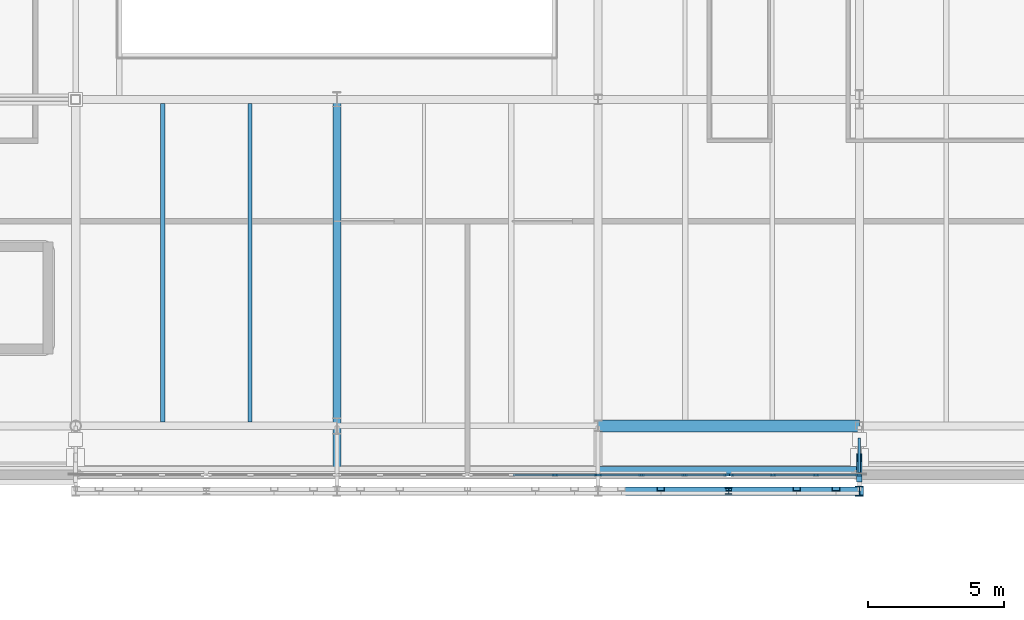
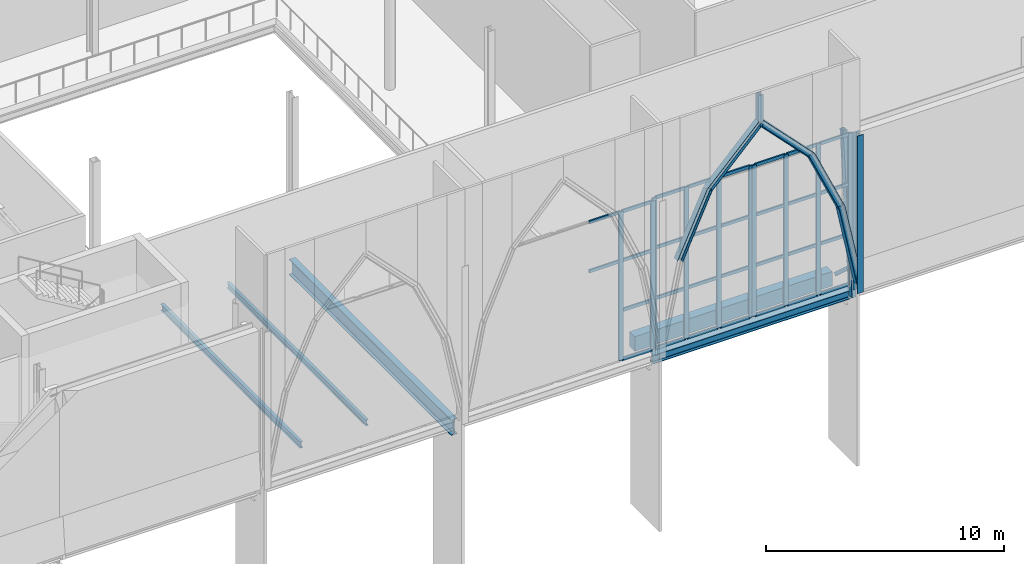
# One storey, part 26 of 79: 49 members, 5 beams, 3 elements without a shape of their own.
"""IFC4 building model written with IfcOpenShell, lengths in metres."""

from ifc_helpers import new_model, si_unit, direction, frame, origin, origin_2d, place, context, subcontext, project, spatial, rectangle, hollow_rectangle, i_section, extrude, material, layer, layer_set, material_profile, profile_set, type_object, element, aggregate, save


model = new_model("IFC4")

# Units and contexts
model_context = context("Model", 3, precision=1e-05, world=origin(), true_north=direction((0.0, 1.0)))
body_context = subcontext(model_context, "Body", "Model", "MODEL_VIEW")
ifc_project = project(units=[si_unit("LENGTHUNIT", "METRE"), si_unit("AREAUNIT", "SQUARE_METRE"), si_unit("VOLUMEUNIT", "CUBIC_METRE"), si_unit("PLANEANGLEUNIT", "RADIAN"), si_unit("MASSUNIT", "GRAM", prefix="KILO")], contexts=[model_context])

# Site, building, storey
site_placement = place(None, origin())
site = spatial("IfcSite", under=ifc_project, at=site_placement, CompositionType="ELEMENT")
building_placement = place(site_placement, origin())
building = spatial("IfcBuilding", under=site, at=building_placement, Name="Zereglee Splitstone Museum", CompositionType="ELEMENT")
storey_placement = place(building_placement, frame((0.0, 0.0, 9.0)))
storey = spatial("IfcBuildingStorey", under=building, at=storey_placement, Name="L02", CompositionType="ELEMENT", Elevation=9.0)

# Curtain wall, members
ifc_material_1 = material(Name="Triple-glazed low-E argon glass and bronze-anodised aluminium", Category="aluminium")
ifc_layer_1 = layer(ifc_material_1, 0.219970703125)
ifc_layer_set_1 = layer_set([ifc_layer_1], Name="Triple-glazed low-E argon glass and bronze-anodised aluminium")
curtain_wall_type_1 = type_object("IfcCurtainWallType", Name="CW-0476-766", PredefinedType="USERDEFINED", material=ifc_layer_set_1)
curtain_wall_1_placement = place(storey_placement, origin())
curtain_wall_1 = element("IfcCurtainWall", 1, at=curtain_wall_1_placement, inside=storey, type_object=curtain_wall_type_1, Name="Glazed Curtain Wall CW-0476-766 (L02)", ObjectType="GLAZED CURTAIN WALL", PredefinedType="USERDEFINED")
ifc_material_2 = material(Name="Thermally broken bronze-anodised aluminium", Category="aluminium")
ifc_material_profile_1 = material_profile(ifc_material_2, rectangle(XDim=0.074951171875, YDim=0.219970703125, at=origin_2d()), Name="CW MULL 75x220")
ifc_profile_set_1 = profile_set([ifc_material_profile_1], Name="Thermally broken bronze-anodised aluminium")
member_type_1 = type_object("IfcMemberType", Name="CWM-02", PredefinedType="MULLION", material=ifc_profile_set_1)
member_1_placement = place(storey_placement, frame((114.813232421875, 7.800048828125, 0.0), z_axis=(0.0, 0.0, 1.0), x_axis=(0.0, 1.0, 0.0)))
member_1 = element("IfcMember", 2, at=member_1_placement, type_object=member_type_1, Name="CW-0476-766 mullion 3", PredefinedType="MULLION", context=body_context, shape_type="SweptSolid", body=[
    extrude(rectangle(XDim=0.074951171875, YDim=0.219970703125, at=origin_2d()), origin(), (0.0, 0.0, 1.0), 7.659912109375),
])
member_2_placement = place(storey_placement, frame((116.362548828125, 7.800048828125, 0.0), z_axis=(0.0, 0.0, 1.0), x_axis=(0.0, 1.0, 0.0)))
member_2 = element("IfcMember", 3, at=member_2_placement, type_object=member_type_1, Name="CW-0476-766 mullion 4", PredefinedType="MULLION", context=body_context, shape_type="SweptSolid", body=[
    extrude(rectangle(XDim=0.074951171875, YDim=0.219970703125, at=origin_2d()), origin(), (0.0, 0.0, 1.0), 7.659912109375),
])

ifc_layer_2 = layer(ifc_material_1, 0.219970703125)
ifc_layer_set_2 = layer_set([ifc_layer_2], Name="Triple-glazed low-E argon glass and bronze-anodised aluminium")
curtain_wall_type_2 = type_object("IfcCurtainWallType", Name="CW-0476-780", PredefinedType="USERDEFINED", material=ifc_layer_set_2)
curtain_wall_2_placement = place(storey_placement, origin())
curtain_wall_2 = element("IfcCurtainWall", 4, at=curtain_wall_2_placement, inside=storey, type_object=curtain_wall_type_2, Name="Glazed Curtain Wall CW-0476-780 (L02)", ObjectType="GLAZED CURTAIN WALL", PredefinedType="USERDEFINED")
member_3_placement = place(storey_placement, frame((116.4375, 7.800048828125, 0.0), z_axis=(0.0, 0.0, 1.0), x_axis=(0.0, 1.0, 0.0)))
member_3 = element("IfcMember", 5, at=member_3_placement, type_object=member_type_1, Name="CW-0476-780 mullion 1", PredefinedType="MULLION", context=body_context, shape_type="SweptSolid", body=[
    extrude(rectangle(XDim=0.074951171875, YDim=0.219970703125, at=origin_2d()), origin(), (0.0, 0.0, 1.0), 7.800048828125),
])
member_4_placement = place(storey_placement, frame((117.986572265625, 7.800048828125, 0.0), z_axis=(0.0, 0.0, 1.0), x_axis=(0.0, 1.0, 0.0)))
member_4 = element("IfcMember", 6, at=member_4_placement, type_object=member_type_1, Name="CW-0476-780 mullion 2", PredefinedType="MULLION", context=body_context, shape_type="SweptSolid", body=[
    extrude(rectangle(XDim=0.074951171875, YDim=0.219970703125, at=origin_2d()), origin(), (0.0, 0.0, 1.0), 7.800048828125),
])
member_5_placement = place(storey_placement, frame((119.5732421875, 7.800048828125, 0.0), z_axis=(0.0, 0.0, 1.0), x_axis=(0.0, 1.0, 0.0)))
member_5 = element("IfcMember", 7, at=member_5_placement, type_object=member_type_1, Name="CW-0476-780 mullion 3", PredefinedType="MULLION", context=body_context, shape_type="SweptSolid", body=[
    extrude(rectangle(XDim=0.074951171875, YDim=0.219970703125, at=origin_2d()), origin(), (0.0, 0.0, 1.0), 7.800048828125),
])
member_6_placement = place(storey_placement, frame((121.12255859375, 7.800048828125, 0.0), z_axis=(0.0, 0.0, 1.0), x_axis=(0.0, 1.0, 0.0)))
member_6 = element("IfcMember", 8, at=member_6_placement, type_object=member_type_1, Name="CW-0476-780 mullion 4", PredefinedType="MULLION", context=body_context, shape_type="SweptSolid", body=[
    extrude(rectangle(XDim=0.074951171875, YDim=0.219970703125, at=origin_2d()), origin(), (0.0, 0.0, 1.0), 7.800048828125),
])

ifc_layer_3 = layer(ifc_material_1, 0.219970703125)
ifc_layer_set_3 = layer_set([ifc_layer_3], Name="Triple-glazed low-E argon glass and bronze-anodised aluminium")
curtain_wall_type_3 = type_object("IfcCurtainWallType", Name="CW-0476-778", PredefinedType="USERDEFINED", material=ifc_layer_set_3)
curtain_wall_3_placement = place(storey_placement, origin())
curtain_wall_3 = element("IfcCurtainWall", 9, at=curtain_wall_3_placement, inside=storey, type_object=curtain_wall_type_3, Name="Glazed Curtain Wall CW-0476-778 (L02)", ObjectType="GLAZED CURTAIN WALL", PredefinedType="USERDEFINED")
member_7_placement = place(storey_placement, frame((121.277587890625, 7.800048828125, 0.0), z_axis=(0.0, 0.0, 1.0), x_axis=(0.0, 1.0, 0.0)))
member_7 = element("IfcMember", 10, at=member_7_placement, type_object=member_type_1, Name="CW-0476-778 mullion 1", PredefinedType="MULLION", context=body_context, shape_type="SweptSolid", body=[
    extrude(rectangle(XDim=0.074951171875, YDim=0.219970703125, at=origin_2d()), origin(), (0.0, 0.0, 1.0), 7.780029296875),
])
member_8_placement = place(storey_placement, frame((122.82666015625, 7.800048828125, 0.0), z_axis=(0.0, 0.0, 1.0), x_axis=(0.0, 1.0, 0.0)))
member_8 = element("IfcMember", 11, at=member_8_placement, type_object=member_type_1, Name="CW-0476-778 mullion 2", PredefinedType="MULLION", context=body_context, shape_type="SweptSolid", body=[
    extrude(rectangle(XDim=0.074951171875, YDim=0.219970703125, at=origin_2d()), origin(), (0.0, 0.0, 1.0), 7.780029296875),
])
member_9_placement = place(storey_placement, frame((124.413330078125, 7.800048828125, 0.0), z_axis=(0.0, 0.0, 1.0), x_axis=(0.0, 1.0, 0.0)))
member_9 = element("IfcMember", 12, at=member_9_placement, type_object=member_type_1, Name="CW-0476-778 mullion 3", PredefinedType="MULLION", context=body_context, shape_type="SweptSolid", body=[
    extrude(rectangle(XDim=0.074951171875, YDim=0.219970703125, at=origin_2d()), origin(), (0.0, 0.0, 1.0), 7.780029296875),
])
member_10_placement = place(storey_placement, frame((125.96240234375, 7.800048828125, 0.0), z_axis=(0.0, 0.0, 1.0), x_axis=(0.0, 1.0, 0.0)))
member_10 = element("IfcMember", 13, at=member_10_placement, type_object=member_type_1, Name="CW-0476-778 mullion 4", PredefinedType="MULLION", context=body_context, shape_type="SweptSolid", body=[
    extrude(rectangle(XDim=0.074951171875, YDim=0.219970703125, at=origin_2d()), origin(), (0.0, 0.0, 1.0), 7.780029296875),
])

# Member
ifc_material_profile_2 = material_profile(ifc_material_2, rectangle(XDim=0.074951171875, YDim=0.1650390625, at=origin_2d()), Name="CW TRAN 75x165")
ifc_profile_set_2 = profile_set([ifc_material_profile_2], Name="Thermally broken bronze-anodised aluminium")
member_type_2 = type_object("IfcMemberType", Name="CWT-02", PredefinedType="USERDEFINED", material=ifc_profile_set_2)
member_11_placement = place(storey_placement, frame((113.26416015625, 7.800048828125, 5.106689453125), z_axis=(1.0, 0.0, 0.0), x_axis=(0.0, 1.0, 0.0)))
member_11 = element("IfcMember", 14, at=member_11_placement, type_object=member_type_2, Name="CW-0476-766 transom 2.3", ObjectType="TRANSOM", PredefinedType="USERDEFINED", context=body_context, shape_type="SweptSolid", body=[
    extrude(rectangle(XDim=0.074951171875, YDim=0.1650390625, at=origin_2d()), origin(), (0.0, 0.0, 1.0), 1.51171875),
])

member_12_placement = place(storey_placement, frame((113.26416015625, 7.800048828125, 7.62255859375), z_axis=(1.0, 0.0, 0.0), x_axis=(0.0, 1.0, 0.0)))
member_12 = element("IfcMember", 15, at=member_12_placement, type_object=member_type_2, Name="CW-0476-766 transom 2.4", ObjectType="TRANSOM", PredefinedType="USERDEFINED", context=body_context, shape_type="SweptSolid", body=[
    extrude(rectangle(XDim=0.074951171875, YDim=0.1650390625, at=origin_2d()), origin(), (0.0, 0.0, 1.0), 1.51171875),
])

member_13_placement = place(storey_placement, frame((114.850830078125, 7.800048828125, 0.03759765625), z_axis=(1.0, 0.0, 0.0), x_axis=(0.0, 1.0, 0.0)))
member_13 = element("IfcMember", 16, at=member_13_placement, type_object=member_type_2, Name="CW-0476-766 transom 3.1", ObjectType="TRANSOM", PredefinedType="USERDEFINED", context=body_context, shape_type="SweptSolid", body=[
    extrude(rectangle(XDim=0.074951171875, YDim=0.1650390625, at=origin_2d()), origin(), (0.0, 0.0, 1.0), 1.47412109375),
])

member_14_placement = place(storey_placement, frame((114.850830078125, 7.800048828125, 2.55322265625), z_axis=(1.0, 0.0, 0.0), x_axis=(0.0, 1.0, 0.0)))
member_14 = element("IfcMember", 17, at=member_14_placement, type_object=member_type_2, Name="CW-0476-766 transom 3.2", ObjectType="TRANSOM", PredefinedType="USERDEFINED", context=body_context, shape_type="SweptSolid", body=[
    extrude(rectangle(XDim=0.074951171875, YDim=0.1650390625, at=origin_2d()), origin(), (0.0, 0.0, 1.0), 1.47412109375),
])

member_15_placement = place(storey_placement, frame((114.850830078125, 7.800048828125, 5.106689453125), z_axis=(1.0, 0.0, 0.0), x_axis=(0.0, 1.0, 0.0)))
member_15 = element("IfcMember", 18, at=member_15_placement, type_object=member_type_2, Name="CW-0476-766 transom 3.3", ObjectType="TRANSOM", PredefinedType="USERDEFINED", context=body_context, shape_type="SweptSolid", body=[
    extrude(rectangle(XDim=0.074951171875, YDim=0.1650390625, at=origin_2d()), origin(), (0.0, 0.0, 1.0), 1.47412109375),
])

member_16_placement = place(storey_placement, frame((114.850830078125, 7.800048828125, 7.62255859375), z_axis=(1.0, 0.0, 0.0), x_axis=(0.0, 1.0, 0.0)))
member_16 = element("IfcMember", 19, at=member_16_placement, type_object=member_type_2, Name="CW-0476-766 transom 3.4", ObjectType="TRANSOM", PredefinedType="USERDEFINED", context=body_context, shape_type="SweptSolid", body=[
    extrude(rectangle(XDim=0.074951171875, YDim=0.1650390625, at=origin_2d()), origin(), (0.0, 0.0, 1.0), 1.47412109375),
])

aggregate(curtain_wall_1, [member_1, member_2, member_11, member_12, member_13, member_14, member_15, member_16])

member_17_placement = place(storey_placement, frame((116.47509765625, 7.800048828125, 0.03759765625), z_axis=(1.0, 0.0, 0.0), x_axis=(0.0, 1.0, 0.0)))
member_17 = element("IfcMember", 20, at=member_17_placement, type_object=member_type_2, Name="CW-0476-780 transom 1.1", ObjectType="TRANSOM", PredefinedType="USERDEFINED", context=body_context, shape_type="SweptSolid", body=[
    extrude(rectangle(XDim=0.074951171875, YDim=0.1650390625, at=origin_2d()), origin(), (0.0, 0.0, 1.0), 1.47412109375),
])

member_18_placement = place(storey_placement, frame((116.47509765625, 7.800048828125, 2.60009765625), z_axis=(1.0, 0.0, 0.0), x_axis=(0.0, 1.0, 0.0)))
member_18 = element("IfcMember", 21, at=member_18_placement, type_object=member_type_2, Name="CW-0476-780 transom 1.2", ObjectType="TRANSOM", PredefinedType="USERDEFINED", context=body_context, shape_type="SweptSolid", body=[
    extrude(rectangle(XDim=0.074951171875, YDim=0.1650390625, at=origin_2d()), origin(), (0.0, 0.0, 1.0), 1.47412109375),
])

member_19_placement = place(storey_placement, frame((116.47509765625, 7.800048828125, 5.199951171875), z_axis=(1.0, 0.0, 0.0), x_axis=(0.0, 1.0, 0.0)))
member_19 = element("IfcMember", 22, at=member_19_placement, type_object=member_type_2, Name="CW-0476-780 transom 1.3", ObjectType="TRANSOM", PredefinedType="USERDEFINED", context=body_context, shape_type="SweptSolid", body=[
    extrude(rectangle(XDim=0.074951171875, YDim=0.1650390625, at=origin_2d()), origin(), (0.0, 0.0, 1.0), 1.47412109375),
])

member_20_placement = place(storey_placement, frame((116.47509765625, 7.800048828125, 7.762451171875), z_axis=(1.0, 0.0, 0.0), x_axis=(0.0, 1.0, 0.0)))
member_20 = element("IfcMember", 23, at=member_20_placement, type_object=member_type_2, Name="CW-0476-780 transom 1.4", ObjectType="TRANSOM", PredefinedType="USERDEFINED", context=body_context, shape_type="SweptSolid", body=[
    extrude(rectangle(XDim=0.074951171875, YDim=0.1650390625, at=origin_2d()), origin(), (0.0, 0.0, 1.0), 1.47412109375),
])

member_21_placement = place(storey_placement, frame((118.024169921875, 7.800048828125, 0.03759765625), z_axis=(1.0, 0.0, 0.0), x_axis=(0.0, 1.0, 0.0)))
member_21 = element("IfcMember", 24, at=member_21_placement, type_object=member_type_2, Name="CW-0476-780 transom 2.1", ObjectType="TRANSOM", PredefinedType="USERDEFINED", context=body_context, shape_type="SweptSolid", body=[
    extrude(rectangle(XDim=0.074951171875, YDim=0.1650390625, at=origin_2d()), origin(), (0.0, 0.0, 1.0), 1.51171875),
])

member_22_placement = place(storey_placement, frame((118.024169921875, 7.800048828125, 2.60009765625), z_axis=(1.0, 0.0, 0.0), x_axis=(0.0, 1.0, 0.0)))
member_22 = element("IfcMember", 25, at=member_22_placement, type_object=member_type_2, Name="CW-0476-780 transom 2.2", ObjectType="TRANSOM", PredefinedType="USERDEFINED", context=body_context, shape_type="SweptSolid", body=[
    extrude(rectangle(XDim=0.074951171875, YDim=0.1650390625, at=origin_2d()), origin(), (0.0, 0.0, 1.0), 1.51171875),
])

member_23_placement = place(storey_placement, frame((118.024169921875, 7.800048828125, 5.199951171875), z_axis=(1.0, 0.0, 0.0), x_axis=(0.0, 1.0, 0.0)))
member_23 = element("IfcMember", 26, at=member_23_placement, type_object=member_type_2, Name="CW-0476-780 transom 2.3", ObjectType="TRANSOM", PredefinedType="USERDEFINED", context=body_context, shape_type="SweptSolid", body=[
    extrude(rectangle(XDim=0.074951171875, YDim=0.1650390625, at=origin_2d()), origin(), (0.0, 0.0, 1.0), 1.51171875),
])

member_24_placement = place(storey_placement, frame((118.024169921875, 7.800048828125, 7.762451171875), z_axis=(1.0, 0.0, 0.0), x_axis=(0.0, 1.0, 0.0)))
member_24 = element("IfcMember", 27, at=member_24_placement, type_object=member_type_2, Name="CW-0476-780 transom 2.4", ObjectType="TRANSOM", PredefinedType="USERDEFINED", context=body_context, shape_type="SweptSolid", body=[
    extrude(rectangle(XDim=0.074951171875, YDim=0.1650390625, at=origin_2d()), origin(), (0.0, 0.0, 1.0), 1.51171875),
])

member_25_placement = place(storey_placement, frame((119.61083984375, 7.800048828125, 0.03759765625), z_axis=(1.0, 0.0, 0.0), x_axis=(0.0, 1.0, 0.0)))
member_25 = element("IfcMember", 28, at=member_25_placement, type_object=member_type_2, Name="CW-0476-780 transom 3.1", ObjectType="TRANSOM", PredefinedType="USERDEFINED", context=body_context, shape_type="SweptSolid", body=[
    extrude(rectangle(XDim=0.074951171875, YDim=0.1650390625, at=origin_2d()), origin(), (0.0, 0.0, 1.0), 1.47412109375),
])

member_26_placement = place(storey_placement, frame((119.61083984375, 7.800048828125, 2.60009765625), z_axis=(1.0, 0.0, 0.0), x_axis=(0.0, 1.0, 0.0)))
member_26 = element("IfcMember", 29, at=member_26_placement, type_object=member_type_2, Name="CW-0476-780 transom 3.2", ObjectType="TRANSOM", PredefinedType="USERDEFINED", context=body_context, shape_type="SweptSolid", body=[
    extrude(rectangle(XDim=0.074951171875, YDim=0.1650390625, at=origin_2d()), origin(), (0.0, 0.0, 1.0), 1.47412109375),
])

member_27_placement = place(storey_placement, frame((119.61083984375, 7.800048828125, 5.199951171875), z_axis=(1.0, 0.0, 0.0), x_axis=(0.0, 1.0, 0.0)))
member_27 = element("IfcMember", 30, at=member_27_placement, type_object=member_type_2, Name="CW-0476-780 transom 3.3", ObjectType="TRANSOM", PredefinedType="USERDEFINED", context=body_context, shape_type="SweptSolid", body=[
    extrude(rectangle(XDim=0.074951171875, YDim=0.1650390625, at=origin_2d()), origin(), (0.0, 0.0, 1.0), 1.47412109375),
])

member_28_placement = place(storey_placement, frame((119.61083984375, 7.800048828125, 7.762451171875), z_axis=(1.0, 0.0, 0.0), x_axis=(0.0, 1.0, 0.0)))
member_28 = element("IfcMember", 31, at=member_28_placement, type_object=member_type_2, Name="CW-0476-780 transom 3.4", ObjectType="TRANSOM", PredefinedType="USERDEFINED", context=body_context, shape_type="SweptSolid", body=[
    extrude(rectangle(XDim=0.074951171875, YDim=0.1650390625, at=origin_2d()), origin(), (0.0, 0.0, 1.0), 1.47412109375),
])

aggregate(curtain_wall_2, [member_3, member_4, member_5, member_6, member_17, member_18, member_19, member_20, member_21, member_22, member_23, member_24, member_25, member_26, member_27, member_28])

member_29_placement = place(storey_placement, frame((121.31494140625, 7.800048828125, 0.03759765625), z_axis=(1.0, 0.0, 0.0), x_axis=(0.0, 1.0, 0.0)))
member_29 = element("IfcMember", 32, at=member_29_placement, type_object=member_type_2, Name="CW-0476-778 transom 1.1", ObjectType="TRANSOM", PredefinedType="USERDEFINED", context=body_context, shape_type="SweptSolid", body=[
    extrude(rectangle(XDim=0.074951171875, YDim=0.1650390625, at=origin_2d()), origin(), (0.0, 0.0, 1.0), 1.47412109375),
])

member_30_placement = place(storey_placement, frame((121.31494140625, 7.800048828125, 2.59326171875), z_axis=(1.0, 0.0, 0.0), x_axis=(0.0, 1.0, 0.0)))
member_30 = element("IfcMember", 33, at=member_30_placement, type_object=member_type_2, Name="CW-0476-778 transom 1.2", ObjectType="TRANSOM", PredefinedType="USERDEFINED", context=body_context, shape_type="SweptSolid", body=[
    extrude(rectangle(XDim=0.074951171875, YDim=0.1650390625, at=origin_2d()), origin(), (0.0, 0.0, 1.0), 1.47412109375),
])

member_31_placement = place(storey_placement, frame((121.31494140625, 7.800048828125, 5.186767578125), z_axis=(1.0, 0.0, 0.0), x_axis=(0.0, 1.0, 0.0)))
member_31 = element("IfcMember", 34, at=member_31_placement, type_object=member_type_2, Name="CW-0476-778 transom 1.3", ObjectType="TRANSOM", PredefinedType="USERDEFINED", context=body_context, shape_type="SweptSolid", body=[
    extrude(rectangle(XDim=0.074951171875, YDim=0.1650390625, at=origin_2d()), origin(), (0.0, 0.0, 1.0), 1.47412109375),
])

member_32_placement = place(storey_placement, frame((121.31494140625, 7.800048828125, 7.742431640625), z_axis=(1.0, 0.0, 0.0), x_axis=(0.0, 1.0, 0.0)))
member_32 = element("IfcMember", 35, at=member_32_placement, type_object=member_type_2, Name="CW-0476-778 transom 1.4", ObjectType="TRANSOM", PredefinedType="USERDEFINED", context=body_context, shape_type="SweptSolid", body=[
    extrude(rectangle(XDim=0.074951171875, YDim=0.1650390625, at=origin_2d()), origin(), (0.0, 0.0, 1.0), 1.47412109375),
])

member_33_placement = place(storey_placement, frame((122.8642578125, 7.800048828125, 0.03759765625), z_axis=(1.0, 0.0, 0.0), x_axis=(0.0, 1.0, 0.0)))
member_33 = element("IfcMember", 36, at=member_33_placement, type_object=member_type_2, Name="CW-0476-778 transom 2.1", ObjectType="TRANSOM", PredefinedType="USERDEFINED", context=body_context, shape_type="SweptSolid", body=[
    extrude(rectangle(XDim=0.074951171875, YDim=0.1650390625, at=origin_2d()), origin(), (0.0, 0.0, 1.0), 1.511474609375),
])

member_34_placement = place(storey_placement, frame((122.8642578125, 7.800048828125, 2.59326171875), z_axis=(1.0, 0.0, 0.0), x_axis=(0.0, 1.0, 0.0)))
member_34 = element("IfcMember", 37, at=member_34_placement, type_object=member_type_2, Name="CW-0476-778 transom 2.2", ObjectType="TRANSOM", PredefinedType="USERDEFINED", context=body_context, shape_type="SweptSolid", body=[
    extrude(rectangle(XDim=0.074951171875, YDim=0.1650390625, at=origin_2d()), origin(), (0.0, 0.0, 1.0), 1.511474609375),
])

member_35_placement = place(storey_placement, frame((122.8642578125, 7.800048828125, 5.186767578125), z_axis=(1.0, 0.0, 0.0), x_axis=(0.0, 1.0, 0.0)))
member_35 = element("IfcMember", 38, at=member_35_placement, type_object=member_type_2, Name="CW-0476-778 transom 2.3", ObjectType="TRANSOM", PredefinedType="USERDEFINED", context=body_context, shape_type="SweptSolid", body=[
    extrude(rectangle(XDim=0.074951171875, YDim=0.1650390625, at=origin_2d()), origin(), (0.0, 0.0, 1.0), 1.511474609375),
])

member_36_placement = place(storey_placement, frame((122.8642578125, 7.800048828125, 7.742431640625), z_axis=(1.0, 0.0, 0.0), x_axis=(0.0, 1.0, 0.0)))
member_36 = element("IfcMember", 39, at=member_36_placement, type_object=member_type_2, Name="CW-0476-778 transom 2.4", ObjectType="TRANSOM", PredefinedType="USERDEFINED", context=body_context, shape_type="SweptSolid", body=[
    extrude(rectangle(XDim=0.074951171875, YDim=0.1650390625, at=origin_2d()), origin(), (0.0, 0.0, 1.0), 1.511474609375),
])

member_37_placement = place(storey_placement, frame((124.450927734375, 7.800048828125, 0.03759765625), z_axis=(1.0, 0.0, 0.0), x_axis=(0.0, 1.0, 0.0)))
member_37 = element("IfcMember", 40, at=member_37_placement, type_object=member_type_2, Name="CW-0476-778 transom 3.1", ObjectType="TRANSOM", PredefinedType="USERDEFINED", context=body_context, shape_type="SweptSolid", body=[
    extrude(rectangle(XDim=0.074951171875, YDim=0.1650390625, at=origin_2d()), origin(), (0.0, 0.0, 1.0), 1.47412109375),
])

member_38_placement = place(storey_placement, frame((124.450927734375, 7.800048828125, 2.59326171875), z_axis=(1.0, 0.0, 0.0), x_axis=(0.0, 1.0, 0.0)))
member_38 = element("IfcMember", 41, at=member_38_placement, type_object=member_type_2, Name="CW-0476-778 transom 3.2", ObjectType="TRANSOM", PredefinedType="USERDEFINED", context=body_context, shape_type="SweptSolid", body=[
    extrude(rectangle(XDim=0.074951171875, YDim=0.1650390625, at=origin_2d()), origin(), (0.0, 0.0, 1.0), 1.47412109375),
])

member_39_placement = place(storey_placement, frame((124.450927734375, 7.800048828125, 5.186767578125), z_axis=(1.0, 0.0, 0.0), x_axis=(0.0, 1.0, 0.0)))
member_39 = element("IfcMember", 42, at=member_39_placement, type_object=member_type_2, Name="CW-0476-778 transom 3.3", ObjectType="TRANSOM", PredefinedType="USERDEFINED", context=body_context, shape_type="SweptSolid", body=[
    extrude(rectangle(XDim=0.074951171875, YDim=0.1650390625, at=origin_2d()), origin(), (0.0, 0.0, 1.0), 1.47412109375),
])

member_40_placement = place(storey_placement, frame((124.450927734375, 7.800048828125, 7.742431640625), z_axis=(1.0, 0.0, 0.0), x_axis=(0.0, 1.0, 0.0)))
member_40 = element("IfcMember", 43, at=member_40_placement, type_object=member_type_2, Name="CW-0476-778 transom 3.4", ObjectType="TRANSOM", PredefinedType="USERDEFINED", context=body_context, shape_type="SweptSolid", body=[
    extrude(rectangle(XDim=0.074951171875, YDim=0.1650390625, at=origin_2d()), origin(), (0.0, 0.0, 1.0), 1.47412109375),
])

aggregate(curtain_wall_3, [member_7, member_8, member_9, member_10, member_29, member_30, member_31, member_32, member_33, member_34, member_35, member_36, member_37, member_38, member_39, member_40])

# Members
ifc_material_3 = material(Name="Steel S355J2", Category="steel")
ifc_material_profile_3 = material_profile(ifc_material_3, i_section(OverallWidth=0.300048828125, OverallDepth=0.300048828125, WebThickness=0.010986328125, FlangeThickness=0.01904296875, FilletRadius=0.027099609375, at=origin_2d()), Name="HE 300 B")
ifc_profile_set_3 = profile_set([ifc_material_profile_3], Name="Steel S355J2")
member_type_3 = type_object("IfcMemberType", Name="TC-08", PredefinedType="CHORD", material=ifc_profile_set_3)
member_41_placement = place(storey_placement, frame((117.263916015625, 7.199951171875, 4.657958984375), z_axis=(0.413850515302, 0.0, 0.910344852781), x_axis=(0.0, 1.0, 0.0)))
element("IfcMember", 44, at=member_41_placement, inside=storey, type_object=member_type_3, Name="Mughal Four-Centred Pointed Arch Rib PSQ-ATRS-3-2", PredefinedType="CHORD", context=body_context, shape_type="SweptSolid", body=[
    extrude(i_section(OverallWidth=0.300048828125, OverallDepth=0.300048828125, WebThickness=0.010986328125, FlangeThickness=0.01904296875, FilletRadius=0.027099609375, at=origin_2d()), origin(), (0.0, 0.0, 1.0), 3.47998046875),
])
for number, where, z_axis, x_axis, name in (
    (45, (118.7041015625, 7.199951171875, 7.825927734375), (0.696127756872, 0.0, 0.717917924357), (0.0, 1.0, 0.0), "Mughal Four-Centred Pointed Arch Rib PSQ-ATRS-3-3"),
    (46, (121.199951171875, 7.199951171875, 10.39990234375), (0.696162850583, 0.0, -0.717883894141), (0.0, 1.0, 0.0), "Mughal Four-Centred Pointed Arch Rib PSQ-ATRS-3-4"),
):
    element("IfcMember", number, at=place(storey_placement, frame(where, z_axis=z_axis, x_axis=x_axis)), inside=storey, type_object=member_type_3, Name=name, PredefinedType="CHORD", context=body_context, shape_type="SweptSolid", body=[
        extrude(i_section(OverallWidth=0.300048828125, OverallDepth=0.300048828125, WebThickness=0.010986328125, FlangeThickness=0.01904296875, FilletRadius=0.027099609375, at=origin_2d()), origin(), (0.0, 0.0, 1.0), 3.58544921875),
    ])
member_42_placement = place(storey_placement, frame((123.696044921875, 7.199951171875, 7.825927734375), z_axis=(0.413792372507, 0.0, -0.910371282749), x_axis=(0.0, 1.0, 0.0)))
element("IfcMember", 47, at=member_42_placement, inside=storey, type_object=member_type_3, Name="Mughal Four-Centred Pointed Arch Rib PSQ-ATRS-3-5", PredefinedType="CHORD", context=body_context, shape_type="SweptSolid", body=[
    extrude(i_section(OverallWidth=0.300048828125, OverallDepth=0.300048828125, WebThickness=0.010986328125, FlangeThickness=0.01904296875, FilletRadius=0.027099609375, at=origin_2d()), origin(), (0.0, 0.0, 1.0), 3.47998046875),
])
member_43_placement = place(storey_placement, frame((125.135986328125, 7.199951171875, 4.657958984375), z_axis=(0.203451466719, 0.0, -0.97908503241), x_axis=(0.0, 1.0, 0.0)))
element("IfcMember", 48, at=member_43_placement, inside=storey, type_object=member_type_3, Name="Mughal Four-Centred Pointed Arch Rib PSQ-ATRS-3-6", PredefinedType="CHORD", context=body_context, shape_type="SweptSolid", body=[
    extrude(i_section(OverallWidth=0.300048828125, OverallDepth=0.300048828125, WebThickness=0.010986328125, FlangeThickness=0.01904296875, FilletRadius=0.027099609375, at=origin_2d()), origin(), (0.0, 0.0, 1.0), 4.246826171875),
])
ifc_material_profile_4 = material_profile(ifc_material_3, i_section(OverallWidth=0.300048828125, OverallDepth=0.360107421875, WebThickness=0.012451171875, FlangeThickness=0.0224609375, FilletRadius=0.027099609375, at=origin_2d()), Name="HE 360 B")
ifc_profile_set_4 = profile_set([ifc_material_profile_4], Name="Steel S355J2")
member_type_4 = type_object("IfcMemberType", Name="TC-06", PredefinedType="CHORD", material=ifc_profile_set_4)
member_44_placement = place(storey_placement, frame((126.0, 7.199951171875, 0.0), z_axis=(0.0, 0.0, 1.0), x_axis=(1.0, 0.0, 0.0)))
element("IfcMember", 49, at=member_44_placement, inside=storey, type_object=member_type_4, Name="Mughal Guldasta Hovering Portal Pier G08 L02", PredefinedType="CHORD", context=body_context, shape_type="SweptSolid", body=[
    extrude(i_section(OverallWidth=0.300048828125, OverallDepth=0.360107421875, WebThickness=0.012451171875, FlangeThickness=0.0224609375, FilletRadius=0.027099609375, at=origin_2d()), origin(), (0.0, 0.0, 1.0), 8.10009765625),
])

# Beams
ifc_material_profile_5 = material_profile(ifc_material_3, i_section(OverallWidth=0.300048828125, OverallDepth=0.800048828125, WebThickness=0.017578125, FlangeThickness=0.032958984375, FilletRadius=0.030029296875, at=origin_2d()), Name="HE 800 B")
ifc_profile_set_5 = profile_set([ifc_material_profile_5], Name="Steel S355J2")
beam_type_1 = type_object("IfcBeamType", Name="BG-07", PredefinedType="BEAM", material=ifc_profile_set_5)
beam_1_placement = place(storey_placement, frame((106.800048828125, 7.949951171875, -0.719970703125), z_axis=(0.0, 1.0, 0.0), x_axis=(-1.0, 0.0, 0.0)))
element("IfcBeam", 50, at=beam_1_placement, inside=storey, type_object=beam_type_1, Name="Primary Girder L02 13 (8.0-21.6)", PredefinedType="BEAM", context=body_context, shape_type="SweptSolid", body=[
    extrude(i_section(OverallWidth=0.300048828125, OverallDepth=0.800048828125, WebThickness=0.017578125, FlangeThickness=0.032958984375, FilletRadius=0.030029296875, at=origin_2d()), origin(), (0.0, 0.0, 1.0), 13.650146484375),
])
ifc_material_profile_6 = material_profile(ifc_material_3, i_section(OverallWidth=0.14990234375, OverallDepth=0.300048828125, WebThickness=0.007080078125, FlangeThickness=0.0107421875, FilletRadius=0.014892578125, at=origin_2d()), Name="IPE 300")
ifc_profile_set_6 = profile_set([ifc_material_profile_6], Name="Steel S355J2")
beam_type_2 = type_object("IfcBeamType", Name="BJ-06", PredefinedType="JOIST", material=ifc_profile_set_6)
beam_2_placement = place(storey_placement, frame((103.60009765625, 9.739990234375, -0.469970703125), z_axis=(0.0, 1.0, 0.0), x_axis=(-1.0, 0.0, 0.0)))
element("IfcBeam", 51, at=beam_2_placement, inside=storey, type_object=beam_type_2, Name="Secondary Floor Joist L02-1055", PredefinedType="JOIST", context=body_context, shape_type="SweptSolid", body=[
    extrude(i_section(OverallWidth=0.14990234375, OverallDepth=0.300048828125, WebThickness=0.007080078125, FlangeThickness=0.0107421875, FilletRadius=0.014892578125, at=origin_2d()), origin(), (0.0, 0.0, 1.0), 11.7099609375),
])
ifc_material_profile_7 = material_profile(ifc_material_3, i_section(OverallWidth=0.159912109375, OverallDepth=0.330078125, WebThickness=0.007568359375, FlangeThickness=0.011474609375, FilletRadius=0.01806640625, at=origin_2d()), Name="IPE 330")
ifc_profile_set_7 = profile_set([ifc_material_profile_7], Name="Steel S355J2")
beam_type_3 = type_object("IfcBeamType", Name="BJ-05", PredefinedType="JOIST", material=ifc_profile_set_7)
beam_3_placement = place(storey_placement, frame((100.39990234375, 9.739990234375, -0.485107421875), z_axis=(0.0, 1.0, 0.0), x_axis=(-1.0, 0.0, 0.0)))
element("IfcBeam", 52, at=beam_3_placement, inside=storey, type_object=beam_type_3, Name="Secondary Floor Joist L02-1054", PredefinedType="JOIST", context=body_context, shape_type="SweptSolid", body=[
    extrude(i_section(OverallWidth=0.159912109375, OverallDepth=0.330078125, WebThickness=0.007568359375, FlangeThickness=0.011474609375, FilletRadius=0.01806640625, at=origin_2d()), origin(), (0.0, 0.0, 1.0), 11.7099609375),
])

# Member
ifc_material_profile_8 = material_profile(ifc_material_3, i_section(OverallWidth=0.239990234375, OverallDepth=0.239990234375, WebThickness=0.010009765625, FlangeThickness=0.01708984375, FilletRadius=0.02099609375, at=origin_2d()), Name="HE 240 B")
ifc_profile_set_8 = profile_set([ifc_material_profile_8], Name="Steel S355J2")
member_type_5 = type_object("IfcMemberType", Name="TP-02", PredefinedType="POST", material=ifc_profile_set_8)
member_45_placement = place(storey_placement, frame((121.199951171875, 7.199951171875, 10.39990234375), z_axis=(0.0, 0.0, 1.0), x_axis=(1.0, 0.0, 0.0)))
element("IfcMember", 53, at=member_45_placement, inside=storey, type_object=member_type_5, Name="Mughal Pishtaq Crown King-Post PSQ-ATRS-3", PredefinedType="POST", context=body_context, shape_type="SweptSolid", body=[
    extrude(i_section(OverallWidth=0.239990234375, OverallDepth=0.239990234375, WebThickness=0.010009765625, FlangeThickness=0.01708984375, FilletRadius=0.02099609375, at=origin_2d()), origin(), (0.0, 0.0, 1.0), 1.4150390625),
])

# Beams
ifc_material_profile_9 = material_profile(ifc_material_3, i_section(OverallWidth=0.300048828125, OverallDepth=0.449951171875, WebThickness=0.013916015625, FlangeThickness=0.02587890625, FilletRadius=0.027099609375, at=origin_2d()), Name="HE 450 B")
ifc_profile_set_9 = profile_set([ifc_material_profile_9], Name="Steel S355J2")
beam_type_4 = type_object("IfcBeamType", Name="SP-02", PredefinedType="SPANDREL", material=ifc_profile_set_9)
beam_4_placement = place(storey_placement, frame((116.39990234375, 7.949951171875, -0.544921875), z_axis=(1.0, 0.0, 0.0), x_axis=(0.0, 1.0, 0.0)))
element("IfcBeam", 54, at=beam_4_placement, inside=storey, type_object=beam_type_4, Name="Hovering Soffit Spandrel L02 (116.4-126.0)", PredefinedType="SPANDREL", context=body_context, shape_type="SweptSolid", body=[
    extrude(i_section(OverallWidth=0.300048828125, OverallDepth=0.449951171875, WebThickness=0.013916015625, FlangeThickness=0.02587890625, FilletRadius=0.027099609375, at=origin_2d()), origin(), (0.0, 0.0, 1.0), 9.60009765625),
])
ifc_material_4 = material(Name="Concrete C40/50", Category="concrete")
ifc_material_profile_10 = material_profile(ifc_material_4, rectangle(XDim=0.449951171875, YDim=0.75, at=origin_2d()), Name="RC 450x750")
ifc_profile_set_10 = profile_set([ifc_material_profile_10], Name="Concrete C40/50")
beam_type_5 = type_object("IfcBeamType", Name="SP-01", PredefinedType="SPANDREL", material=ifc_profile_set_10)
beam_5_placement = place(storey_placement, frame((116.39990234375, 9.60009765625, -0.695068359375), z_axis=(1.0, 0.0, 0.0), x_axis=(0.0, 1.0, 0.0)))
element("IfcBeam", 55, at=beam_5_placement, inside=storey, type_object=beam_type_5, Name="Primary Girder L02 B (116.4-126.0)", PredefinedType="SPANDREL", context=body_context, shape_type="SweptSolid", body=[
    extrude(rectangle(XDim=0.449951171875, YDim=0.75, at=origin_2d()), origin(), (0.0, 0.0, 1.0), 9.60009765625),
])

# Members
ifc_material_5 = material(Name="Steel S355J2H", Category="steel")
ifc_material_profile_11 = material_profile(ifc_material_5, hollow_rectangle(XDim=0.199951171875, YDim=0.300048828125, WallThickness=0.012451171875, at=origin_2d()), Name="RHS 300x200x12.5")
ifc_profile_set_11 = profile_set([ifc_material_profile_11], Name="Steel S355J2H")
member_type_6 = type_object("IfcMemberType", Name="FS-R1", PredefinedType="STRUT", material=ifc_profile_set_11)
member_46_placement = place(storey_placement, frame((126.0, 7.695068359375, -0.570068359375), z_axis=(0.0, 0.090888526295, 0.995861072534), x_axis=(-1.0, 0.0, 0.0)))
element("IfcMember", 56, at=member_46_placement, inside=storey, type_object=member_type_6, Name="Split-Rock Continuous Facet Strut FH-V2SE L02-01", PredefinedType="STRUT", context=body_context, shape_type="SweptSolid", body=[
    extrude(hollow_rectangle(XDim=0.199951171875, YDim=0.300048828125, WallThickness=0.012451171875, at=origin_2d()), origin(), (0.0, 0.0, 1.0), 8.174072265625),
])
ifc_material_profile_12 = material_profile(ifc_material_5, hollow_rectangle(XDim=0.10009765625, YDim=0.179931640625, WallThickness=0.008056640625, at=origin_2d()), Name="RHS 180x100x8")
ifc_profile_set_12 = profile_set([ifc_material_profile_12], Name="Steel S355J2H")
member_type_7 = type_object("IfcMemberType", Name="FS-T2", PredefinedType="STRUT", material=ifc_profile_set_12)
member_47_placement = place(storey_placement, frame((126.0, 9.10009765625, -0.280029296875), z_axis=(0.0, -0.739099080586, 0.673596725851), x_axis=(1.0, 0.0, 0.0)))
element("IfcMember", 57, at=member_47_placement, inside=storey, type_object=member_type_7, Name="Facet Tie-Back Strut FH-V2SE L02-01", PredefinedType="STRUT", context=body_context, shape_type="SweptSolid", body=[
    extrude(hollow_rectangle(XDim=0.10009765625, YDim=0.179931640625, WallThickness=0.008056640625, at=origin_2d()), origin(), (0.0, 0.0, 1.0), 1.721923828125),
])

save(model, "model.ifc")
